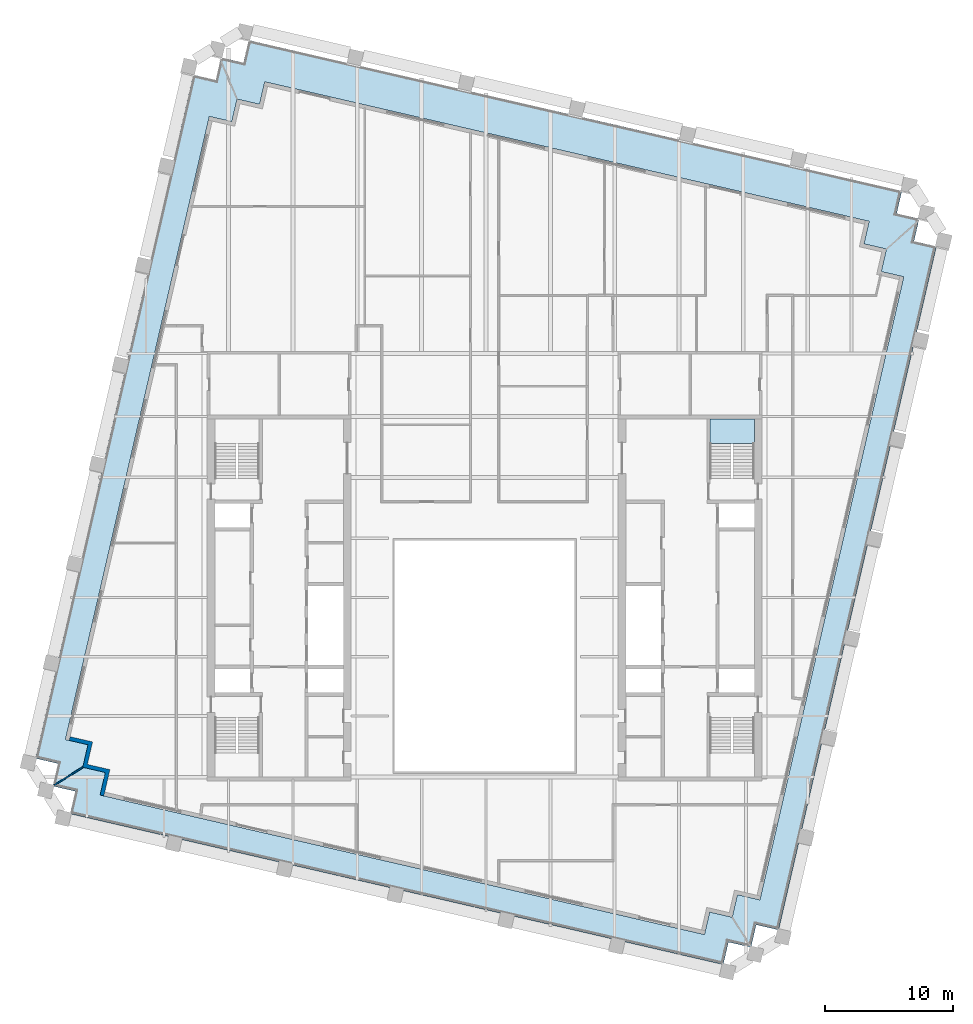
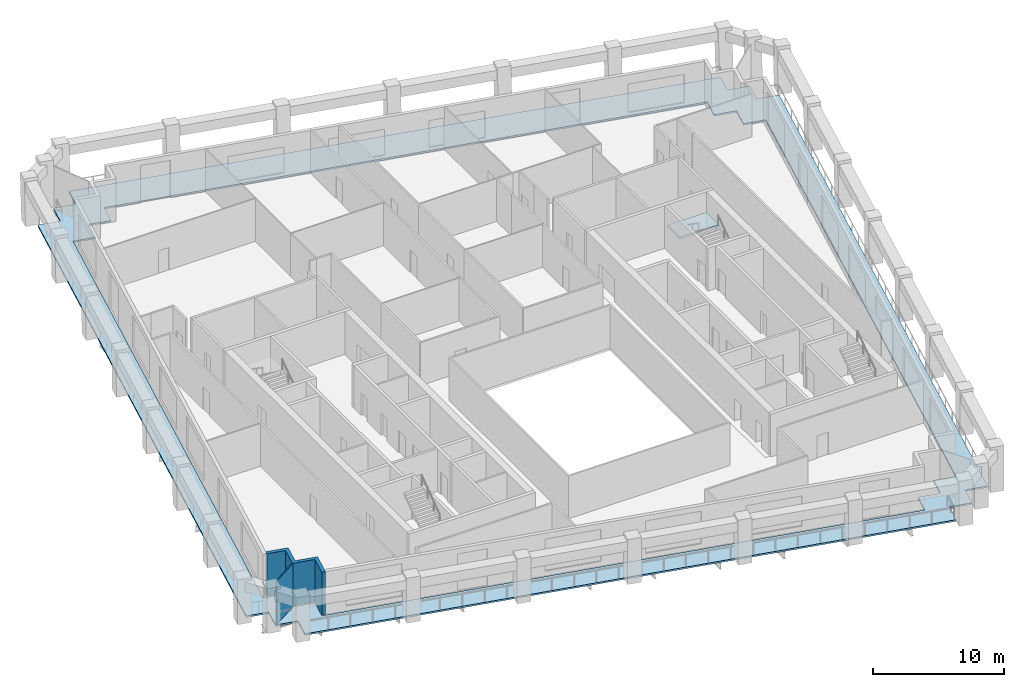
# One storey, part 3 of 11: 2 slabs, 2 walls, 1 element without a shape of its own.
"""IFC4 building model written with IfcOpenShell, lengths in metres."""

from ifc_helpers import new_model, si_unit, direction, frame, frame_2d, origin, place, context, subcontext, project, spatial, polyline, rectangle, outline, extrude, material, layer, layer_set, type_object, element, aggregate, save


model = new_model("IFC4")

# Units and contexts
model_context = context("Model", 3, precision=1e-05, world=origin(), true_north=direction((0.0, 1.0)))
body_context = subcontext(model_context, "Body", "Model", "MODEL_VIEW")
ifc_project = project(units=[si_unit("LENGTHUNIT", "METRE"), si_unit("AREAUNIT", "SQUARE_METRE"), si_unit("VOLUMEUNIT", "CUBIC_METRE"), si_unit("PLANEANGLEUNIT", "RADIAN"), si_unit("MASSUNIT", "GRAM", prefix="KILO")], contexts=[model_context])

# Site, building, storey
site_placement = place(None, origin())
site = spatial("IfcSite", under=ifc_project, at=site_placement, CompositionType="ELEMENT")
building_placement = place(site_placement, origin())
building = spatial("IfcBuilding", under=site, at=building_placement, Name="Ogive Exchange Tower", CompositionType="ELEMENT")
storey_placement = place(building_placement, frame((0.0, 0.0, 247.199951171875)))
storey = spatial("IfcBuildingStorey", under=building, at=storey_placement, Name="L53", CompositionType="ELEMENT", Elevation=247.199951171875)

# Slab
ifc_material_1 = material(Name="Concrete C50/60", Category="concrete")
ifc_layer_1 = layer(ifc_material_1, 0.14990234375)
ifc_layer_set_1 = layer_set([ifc_layer_1], Name="Loggia deck 150")
slab_type_1 = type_object("IfcSlabType", Name="Loggia deck 150", PredefinedType="FLOOR", material=ifc_layer_set_1)
slab_1_placement = place(storey_placement, frame((0.0, 0.0, -0.199951171875)))
element("IfcSlab", 1, at=slab_1_placement, inside=storey, type_object=slab_type_1, Name="Loggia deck", PredefinedType="FLOOR", context=body_context, shape_type="SweptSolid", body=[
    extrude(outline(polyline([(-31.8759765625, -3.54443359375), (-33.6298828125, -3.1396484375), (-33.224853515625, -1.3857421875), (-34.978759765625, -0.980712890625), (-22.690185546875, 52.246337890625), (-20.936279296875, 51.841552734375), (-20.531494140625, 53.59521484375), (-18.777587890625, 53.1904296875), (-18.372802734375, 54.9443359375), (32.489501953125, 43.201904296875), (32.08447265625, 41.447998046875), (33.83837890625, 41.043212890625), (33.43359375, 39.289306640625), (35.187255859375, 38.88427734375), (22.89892578125, -14.343017578125), (21.14501953125, -13.93798828125), (20.739990234375, -15.69189453125), (18.986083984375, -15.286865234375), (18.581298828125, -17.040771484375), (-32.28076171875, -5.29833984375), (-31.8759765625, -3.54443359375)]), holes=[polyline([(17.52490234375, -12.9482421875), (19.27880859375, -13.353271484375), (19.68359375, -11.599365234375), (21.4375, -12.004150390625), (32.64013671875, 36.519287109375), (30.88623046875, 36.92431640625), (31.291015625, 38.67822265625), (29.537109375, 39.0830078125), (29.942138671875, 40.8369140625), (-17.119873046875, 51.7021484375), (-17.52490234375, 49.9482421875), (-19.27880859375, 50.353271484375), (-19.68359375, 48.599365234375), (-21.4375, 49.004150390625), (-32.64013671875, 0.480712890625), (-30.88623046875, 0.07568359375), (-31.291015625, -1.67822265625), (-29.537109375, -2.0830078125), (-29.942138671875, -3.8369140625), (17.119873046875, -14.7021484375), (17.52490234375, -12.9482421875)])]), origin(), (0.0, 0.0, 1.0), 0.14990234375),
])

# Stair, slab
ifc_material_2 = material(Name="Concrete C40/50", Category="concrete")
stair_type = type_object("IfcStairType", Name="Exit stair 1650 wide", PredefinedType="HALF_TURN_STAIR", material=ifc_material_2)
stair_placement = place(storey_placement, origin())
stair = element("IfcStair", 2, at=stair_placement, inside=storey, type_object=stair_type, Name="L53 exit stair ST4", PredefinedType="HALF_TURN_STAIR")
ifc_layer_2 = layer(ifc_material_2, 0.199951171875)
ifc_layer_set_2 = layer_set([ifc_layer_2], Name="Stair landing 200 slab")
slab_type_2 = type_object("IfcSlabType", Name="Stair landing 200 slab", PredefinedType="LANDING", material=ifc_layer_set_2)
slab_2_placement = place(storey_placement, frame((0.0, 0.0, 1.900146484375)))
slab_2 = element("IfcSlab", 3, at=slab_2_placement, type_object=slab_type_2, Name="ST4 landing 1", PredefinedType="LANDING", context=body_context, shape_type="SweptSolid", body=[
    extrude(outline(polyline([(21.0, 23.550048828125), (21.0, 25.449951171875), (17.550048828125, 25.449951171875), (17.550048828125, 23.550048828125), (21.0, 23.550048828125)])), origin(), (0.0, 0.0, 1.0), 0.199951171875),
])
aggregate(stair, [slab_2])

# Walls
ifc_material_3 = material(Name="Precast concrete C40/50", Category="concrete")
ifc_layer_3 = layer(ifc_material_3, 0.300048828125)
ifc_layer_set_3 = layer_set([ifc_layer_3], Name="Limestone-faced wall 300")
wall_type_1 = type_object("IfcWallType", Name="Limestone-faced wall 300", PredefinedType="STANDARD", material=ifc_layer_set_3)
wall_1_placement = place(storey_placement, origin())
element("IfcWall", 4, at=wall_1_placement, inside=storey, type_object=wall_type_1, Name="External corner wall C4", PredefinedType="STANDARD", context=body_context, shape_type="SweptSolid", body=[
    extrude(outline(polyline([(-31.291015625, -1.67822265625), (-30.88623046875, 0.07568359375), (-32.34765625, 0.4130859375), (-32.2802734375, 0.705322265625), (-30.5263671875, 0.300537109375), (-30.931396484375, -1.453369140625), (-29.177490234375, -1.8583984375), (-29.64990234375, -3.904541015625), (-29.942138671875, -3.8369140625), (-29.537109375, -2.0830078125), (-31.291015625, -1.67822265625)])), origin(), (0.0, 0.0, 1.0), 4.0),
])
ifc_material_4 = material(Name="Laminated safety glass in steel frame", Category="steel")
ifc_layer_4 = layer(ifc_material_4, 0.10009765625)
ifc_layer_set_4 = layer_set([ifc_layer_4], Name="Loggia end screen 100")
wall_type_2 = type_object("IfcWallType", Name="Loggia end screen 100", PredefinedType="STANDARD", material=ifc_layer_set_4)
wall_2_placement = place(storey_placement, frame((-31.291015625, -1.67822265625, -0.050048828125), z_axis=(0.0, 0.0, 1.0), x_axis=(-0.84807753525, -0.529872148923, 0.0)))
element("IfcWall", 5, at=wall_2_placement, inside=storey, type_object=wall_type_2, Name="Loggia end screen C4", PredefinedType="STANDARD", context=body_context, shape_type="SweptSolid", body=[
    extrude(rectangle(XDim=2.596435546875, YDim=0.10009765625, at=frame_2d((1.29833984375, 0.0))), origin(), (0.0, 0.0, 1.0), 4.050048828125),
])

save(model, "model.ifc")
